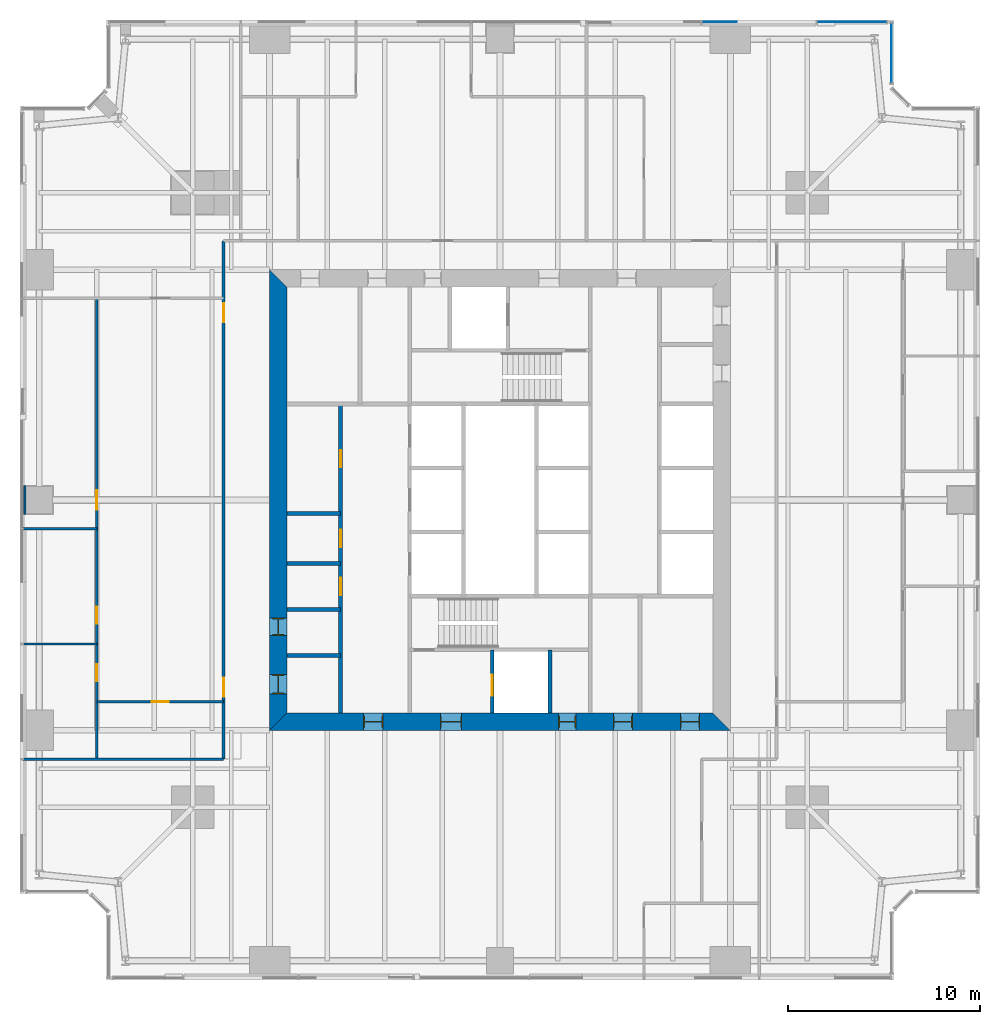
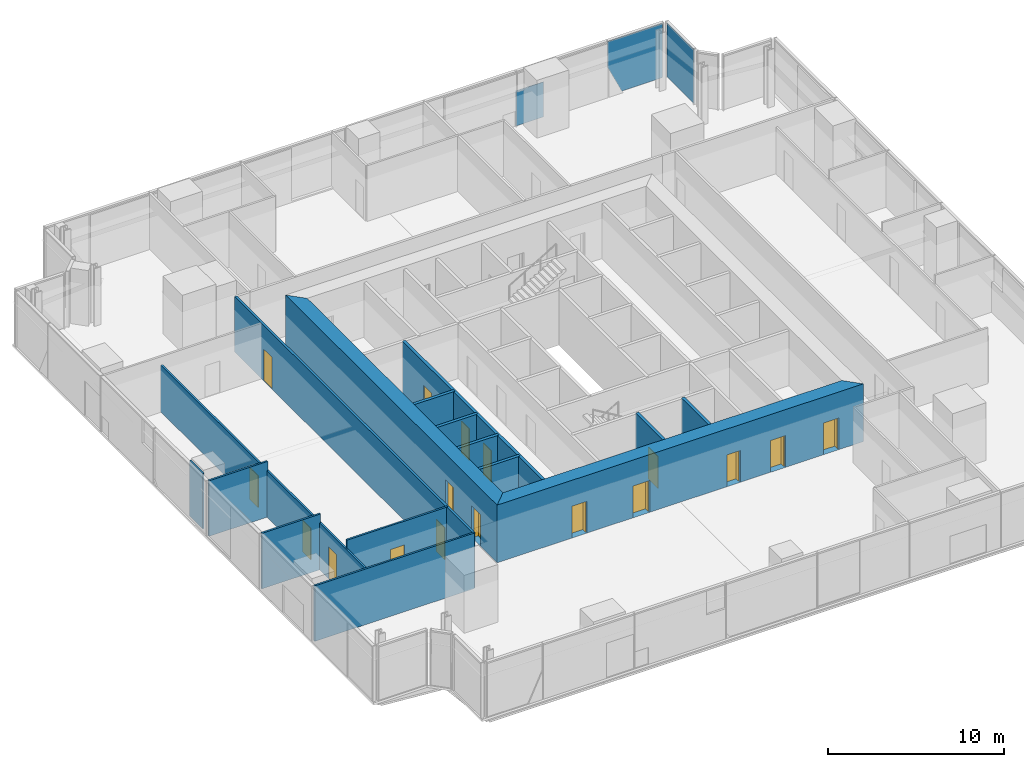
# One storey, part 9 of 14: 17 doors, 16 walls, 3 plates, 17 openings, 2 elements without a shape of their own.
"""IFC4 building model written with IfcOpenShell, lengths in metres."""

from ifc_helpers import new_model, si_unit, direction, frame, frame_2d, origin, origin_2d, place, context, subcontext, project, spatial, polyline, rectangle, outline, extrude, material, layer, layer_set, type_object, element, fill, aggregate, save


model = new_model("IFC4")

# Units and contexts
model_context = context("Model", 3, precision=1e-05, world=origin(), true_north=direction((0.0, 1.0)))
body_context = subcontext(model_context, "Body", "Model", "MODEL_VIEW")
ifc_project = project(units=[si_unit("LENGTHUNIT", "METRE"), si_unit("AREAUNIT", "SQUARE_METRE"), si_unit("VOLUMEUNIT", "CUBIC_METRE"), si_unit("PLANEANGLEUNIT", "RADIAN"), si_unit("MASSUNIT", "GRAM", prefix="KILO")], contexts=[model_context])

# Site, building, storey
site_placement = place(None, origin())
site = spatial("IfcSite", under=ifc_project, at=site_placement, CompositionType="ELEMENT")
building_placement = place(site_placement, origin())
building = spatial("IfcBuilding", under=site, at=building_placement, Name="Fenwick Lantern Interchange", CompositionType="ELEMENT")
storey_placement = place(building_placement, frame((0.0, 0.0, 122.39990234375)))
storey = spatial("IfcBuildingStorey", under=building, at=storey_placement, Name="L28", CompositionType="ELEMENT", Elevation=122.39990234375)

# Curtain wall, plate
ifc_material_1 = material(Name="Aluminium curtain wall frame", Category="aluminium")
curtain_wall_type = type_object("IfcCurtainWallType", Name="OFFICE CURTAIN WALL", PredefinedType="USERDEFINED", material=ifc_material_1)
curtain_wall_1_placement = place(storey_placement, origin())
curtain_wall_1 = element("IfcCurtainWall", 1, at=curtain_wall_1_placement, inside=storey, type_object=curtain_wall_type, Name="Office curtain wall 08", ObjectType="OFFICE CURTAIN WALL", PredefinedType="USERDEFINED")
ifc_material_2 = material(Name="Vision glass, clear low-iron double glazed", Category="glass")
ifc_layer_1 = layer(ifc_material_2, 0.031982421875)
ifc_layer_set_1 = layer_set([ifc_layer_1], Name="OFFICE CURTAIN WALL PANEL 32")
plate_type = type_object("IfcPlateType", Name="OFFICE CURTAIN WALL PANEL 32", PredefinedType="CURTAIN_PANEL", material=ifc_layer_set_1)
plate_1_placement = place(storey_placement, frame((45.39990234375, 48.279296875, 0.0), z_axis=(0.0, 0.0, 1.0), x_axis=(0.0, 1.0, 0.0)))
plate_1 = element("IfcPlate", 2, at=plate_1_placement, type_object=plate_type, Name="L28/CW/08/P00", PredefinedType="CURTAIN_PANEL", context=body_context, shape_type="SweptSolid", body=[
    extrude(rectangle(XDim=3.111328125, YDim=0.031982421875, at=origin_2d()), origin(), (0.0, 0.0, 1.0), 3.75),
])
aggregate(curtain_wall_1, [plate_1])

# Curtain wall, plates
curtain_wall_2_placement = place(storey_placement, origin())
curtain_wall_2 = element("IfcCurtainWall", 3, at=curtain_wall_2_placement, inside=storey, type_object=curtain_wall_type, Name="Office curtain wall 09", ObjectType="OFFICE CURTAIN WALL", PredefinedType="USERDEFINED")
plate_2_placement = place(storey_placement, frame((45.39990234375, 49.89990234375, 0.0), z_axis=(0.0, 0.0, 1.0), x_axis=(-1.0, 0.0, 0.0)))
plate_2 = element("IfcPlate", 4, at=plate_2_placement, type_object=plate_type, Name="L28/CW/09/P00a", PredefinedType="CURTAIN_PANEL", context=body_context, shape_type="SweptSolid", body=[
    extrude(outline(polyline([(0.264892578125, 0.0), (2.946044921875, 0.0), (3.867431640625, 1.9658203125), (3.867431640625, 3.75), (0.264892578125, 3.75), (0.264892578125, 0.0)])), frame((0.0, 0.01611328125, 0.0), z_axis=(0.0, -1.0, 0.0), x_axis=(1.0, 0.0, 0.0)), (0.0, 0.0, 1.0), 0.031982421875),
])
plate_3_placement = place(storey_placement, frame((45.39990234375, 49.89990234375, 0.0), z_axis=(0.0, 0.0, 1.0), x_axis=(-1.0, 0.0, 0.0)))
plate_3 = element("IfcPlate", 5, at=plate_3_placement, type_object=plate_type, Name="L28/CW/09/P01a", PredefinedType="CURTAIN_PANEL", context=body_context, shape_type="SweptSolid", body=[
    extrude(outline(polyline([(8.06201171875, 0.0), (9.867431640625, 0.0), (9.867431640625, 2.43212890625), (8.06201171875, 2.43212890625), (8.06201171875, 0.0)])), frame((0.0, 0.01611328125, 0.0), z_axis=(0.0, -1.0, 0.0), x_axis=(1.0, 0.0, 0.0)), (0.0, 0.0, 1.0), 0.031982421875),
])
aggregate(curtain_wall_2, [plate_2, plate_3])

# Wall
ifc_material_3 = material(Name="Fire-rated gypsum board encasement on steel studs, 2 hour", Category="steel")
ifc_layer_2 = layer(ifc_material_3, 1.5)
ifc_layer_set_2 = layer_set([ifc_layer_2], Name="COLUMN PIER 1500")
wall_type_1 = type_object("IfcWallType", Name="COLUMN PIER 1500", PredefinedType="PARTITIONING", material=ifc_layer_set_2)
wall_1_placement = place(storey_placement, frame((0.199951171875, 25.0, 0.0), z_axis=(0.0, 0.0, 1.0), x_axis=(1.0, 0.0, 0.0)))
element("IfcWall", 6, at=wall_1_placement, inside=storey, type_object=wall_type_1, Name="L28/W/PIER/CW3", PredefinedType="PARTITIONING", context=body_context, shape_type="SweptSolid", body=[
    extrude(rectangle(XDim=0.10009765625, YDim=1.5, at=frame_2d((0.050048828125, 0.0))), origin(), (0.0, 0.0, 1.0), 3.85009765625),
])

# Wall, openings, doors
ifc_material_4 = material(Name="Concrete masonry ASTM C90 Grade N", Category="masonry")
ifc_layer_3 = layer(ifc_material_4, 0.199951171875)
ifc_layer_set_3 = layer_set([ifc_layer_3], Name="Concrete masonry ASTM C90 Grade N")
wall_type_2 = type_object("IfcWallType", Name="CORE PARTITION 200", PredefinedType="PARTITIONING", material=ifc_layer_set_3)
wall_2_placement = place(storey_placement, frame((16.699951171875, 13.89990234375, 0.0), z_axis=(0.0, 0.0, 1.0), x_axis=(0.0, 1.0, 0.0)))
wall_2 = element("IfcWall", 7, at=wall_2_placement, inside=storey, type_object=wall_type_2, Name="L28/W/CORES/a", PredefinedType="PARTITIONING", context=body_context, shape_type="SweptSolid", body=[
    extrude(rectangle(XDim=16.10009765625, YDim=0.199951171875, at=frame_2d((8.050048828125, 0.0))), origin(), (0.0, 0.0, 1.0), 3.800048828125),
])
opening_1_placement = place(wall_2_placement, frame((6.14990234375, 0.0, 0.0)))
opening_1 = element("IfcOpeningElement", 8, at=opening_1_placement, cuts=wall_2, Name="Opening L28-D009", PredefinedType="OPENING", context=body_context, shape_type="SweptSolid", body=[
    extrude(rectangle(XDim=0.89990234375, YDim=2.199951171875, at=frame_2d((0.449951171875, 1.10009765625))), frame((0.0, 0.10986328125, 0.0), z_axis=(0.0, -1.0, 0.0), x_axis=(1.0, 0.0, 0.0)), (0.0, 0.0, 1.0), 0.219970703125),
])
opening_2_placement = place(wall_2_placement, frame((8.64990234375, 0.0, 0.0)))
opening_2 = element("IfcOpeningElement", 9, at=opening_2_placement, cuts=wall_2, Name="Opening L28-D010", PredefinedType="OPENING", context=body_context, shape_type="SweptSolid", body=[
    extrude(rectangle(XDim=0.89990234375, YDim=2.199951171875, at=frame_2d((0.449951171875, 1.10009765625))), frame((0.0, 0.10986328125, 0.0), z_axis=(0.0, -1.0, 0.0), x_axis=(1.0, 0.0, 0.0)), (0.0, 0.0, 1.0), 0.219970703125),
])
opening_3_placement = place(wall_2_placement, frame((12.800048828125, 0.0, 0.0)))
opening_3 = element("IfcOpeningElement", 10, at=opening_3_placement, cuts=wall_2, Name="Opening L28-D011", PredefinedType="OPENING", context=body_context, shape_type="SweptSolid", body=[
    extrude(rectangle(XDim=0.89990234375, YDim=2.199951171875, at=frame_2d((0.449951171875, 1.10009765625))), frame((0.0, 0.10986328125, 0.0), z_axis=(0.0, -1.0, 0.0), x_axis=(1.0, 0.0, 0.0)), (0.0, 0.0, 1.0), 0.219970703125),
])
ifc_material_5 = material(Name="Steel door and frame", Category="steel")
door_type_1 = type_object("IfcDoorType", Name="SERVICE DOOR 900 X 2200", OperationType="SINGLE_SWING_LEFT", PredefinedType="DOOR", material=ifc_material_5)
door_1_placement = place(opening_1_placement, origin())
door_1 = element("IfcDoor", 11, at=door_1_placement, inside=storey, type_object=door_type_1, Name="Service door", OperationType="SINGLE_SWING_LEFT", OverallHeight=2.199951171875, OverallWidth=0.89990234375, PredefinedType="DOOR", context=body_context, shape_type="SweptSolid", body=[
    extrude(rectangle(XDim=0.89990234375, YDim=2.199951171875, at=frame_2d((0.449951171875, 1.10009765625))), frame((0.0, 0.02490234375, 0.0), z_axis=(0.0, -1.0, 0.0), x_axis=(1.0, 0.0, 0.0)), (0.0, 0.0, 1.0), 0.050048828125),
])
fill(opening_1, door_1)
door_2_placement = place(opening_2_placement, origin())
door_2 = element("IfcDoor", 12, at=door_2_placement, inside=storey, type_object=door_type_1, Name="Service door", OperationType="SINGLE_SWING_LEFT", OverallHeight=2.199951171875, OverallWidth=0.89990234375, PredefinedType="DOOR", context=body_context, shape_type="SweptSolid", body=[
    extrude(rectangle(XDim=0.89990234375, YDim=2.199951171875, at=frame_2d((0.449951171875, 1.10009765625))), frame((0.0, 0.02490234375, 0.0), z_axis=(0.0, -1.0, 0.0), x_axis=(1.0, 0.0, 0.0)), (0.0, 0.0, 1.0), 0.050048828125),
])
fill(opening_2, door_2)
door_3_placement = place(opening_3_placement, origin())
door_3 = element("IfcDoor", 13, at=door_3_placement, inside=storey, type_object=door_type_1, Name="Service door", OperationType="SINGLE_SWING_LEFT", OverallHeight=2.199951171875, OverallWidth=0.89990234375, PredefinedType="DOOR", context=body_context, shape_type="SweptSolid", body=[
    extrude(rectangle(XDim=0.89990234375, YDim=2.199951171875, at=frame_2d((0.449951171875, 1.10009765625))), frame((0.0, 0.02490234375, 0.0), z_axis=(0.0, -1.0, 0.0), x_axis=(1.0, 0.0, 0.0)), (0.0, 0.0, 1.0), 0.050048828125),
])
fill(opening_3, door_3)

# Wall, opening, door
wall_3_placement = place(storey_placement, frame((24.60009765625, 13.89990234375, 0.0), z_axis=(0.0, 0.0, 1.0), x_axis=(0.0, 1.0, 0.0)))
wall_3 = element("IfcWall", 14, at=wall_3_placement, inside=storey, type_object=wall_type_2, Name="L28/W/CORES/h1", PredefinedType="PARTITIONING", context=body_context, shape_type="SweptSolid", body=[
    extrude(rectangle(XDim=3.300048828125, YDim=0.199951171875, at=frame_2d((1.64990234375, 0.0))), origin(), (0.0, 0.0, 1.0), 3.800048828125),
])
opening_4_placement = place(wall_3_placement, frame((0.89990234375, 0.0, 0.0)))
opening_4 = element("IfcOpeningElement", 15, at=opening_4_placement, cuts=wall_3, Name="Opening LD-FL1", PredefinedType="OPENING", context=body_context, shape_type="SweptSolid", body=[
    extrude(rectangle(XDim=1.10009765625, YDim=2.199951171875, at=frame_2d((0.550048828125, 1.10009765625))), frame((0.0, 0.10986328125, 0.0), z_axis=(0.0, -1.0, 0.0), x_axis=(1.0, 0.0, 0.0)), (0.0, 0.0, 1.0), 0.219970703125),
])
door_type_2 = type_object("IfcDoorType", Name="LIFT LANDING DOOR 1100 X 2200", OperationType="DOUBLE_DOOR_SLIDING", PredefinedType="DOOR", material=ifc_material_5)
door_4_placement = place(opening_4_placement, origin())
door_4 = element("IfcDoor", 16, at=door_4_placement, inside=storey, type_object=door_type_2, Name="Lift landing door FL1", OperationType="DOUBLE_DOOR_SLIDING", OverallHeight=2.199951171875, OverallWidth=1.10009765625, PredefinedType="DOOR", context=body_context, shape_type="SweptSolid", body=[
    extrude(rectangle(XDim=1.10009765625, YDim=2.199951171875, at=frame_2d((0.550048828125, 1.10009765625))), frame((0.0, 0.02490234375, 0.0), z_axis=(0.0, -1.0, 0.0), x_axis=(1.0, 0.0, 0.0)), (0.0, 0.0, 1.0), 0.050048828125),
])
fill(opening_4, door_4)

# Walls
wall_4_placement = place(storey_placement, frame((27.60009765625, 13.89990234375, 0.0), z_axis=(0.0, 0.0, 1.0), x_axis=(0.0, 1.0, 0.0)))
element("IfcWall", 17, at=wall_4_placement, inside=storey, type_object=wall_type_2, Name="L28/W/CORES/h2", PredefinedType="PARTITIONING", context=body_context, shape_type="SweptSolid", body=[
    extrude(rectangle(XDim=3.300048828125, YDim=0.199951171875, at=frame_2d((1.64990234375, 0.0))), origin(), (0.0, 0.0, 1.0), 3.800048828125),
])
for number, where, z_axis, x_axis, name in (
    (18, (13.89990234375, 16.89990234375, 0.0), (0.0, 0.0, 1.0), (1.0, 0.0, 0.0), "L28/W/CORES/p1"),
    (19, (13.89990234375, 19.300048828125, 0.0), (0.0, 0.0, 1.0), (1.0, 0.0, 0.0), "L28/W/CORES/p2"),
    (20, (13.89990234375, 21.699951171875, 0.0), (0.0, 0.0, 1.0), (1.0, 0.0, 0.0), "L28/W/CORES/p3"),
    (21, (13.89990234375, 24.300048828125, 0.0), (0.0, 0.0, 1.0), (1.0, 0.0, 0.0), "L28/W/CORES/p4"),
):
    element("IfcWall", number, at=place(storey_placement, frame(where, z_axis=z_axis, x_axis=x_axis)), inside=storey, type_object=wall_type_2, Name=name, PredefinedType="PARTITIONING", context=body_context, shape_type="SweptSolid", body=[
        extrude(rectangle(XDim=2.800048828125, YDim=0.199951171875, at=frame_2d((1.39990234375, 0.0))), origin(), (0.0, 0.0, 1.0), 3.800048828125),
    ])

# Wall, openings, doors
ifc_material_6 = material(Name="Concrete f'c 70 MPa", Category="concrete")
ifc_layer_4 = layer(ifc_material_6, 0.89990234375)
ifc_layer_set_4 = layer_set([ifc_layer_4], Name="CORE WALL 900")
wall_type_3 = type_object("IfcWallType", Name="CORE WALL 900", PredefinedType="SHEAR", material=ifc_layer_set_4)
wall_5_placement = place(storey_placement, frame((13.0, 13.449951171875, 0.0), z_axis=(0.0, 0.0, 1.0), x_axis=(1.0, 0.0, 0.0)))
wall_5 = element("IfcWall", 22, at=wall_5_placement, inside=storey, type_object=wall_type_3, Name="L28/CORE/S", PredefinedType="SHEAR", context=body_context, shape_type="SweptSolid", body=[
    extrude(outline(polyline([(0.0, -0.449951171875), (24.0, -0.449951171875), (23.10009765625, 0.449951171875), (0.89990234375, 0.449951171875), (0.0, -0.449951171875)])), origin(), (0.0, 0.0, 1.0), 4.0),
])
opening_5_placement = place(wall_5_placement, frame((4.89990234375, 0.0, 0.0)))
opening_5 = element("IfcOpeningElement", 23, at=opening_5_placement, cuts=wall_5, Name="Opening L28-D001", PredefinedType="OPENING", context=body_context, shape_type="SweptSolid", body=[
    extrude(rectangle(XDim=1.0, YDim=2.199951171875, at=frame_2d((0.5, 1.10009765625))), frame((0.0, 0.4599609375, 0.0), z_axis=(0.0, -1.0, 0.0), x_axis=(1.0, 0.0, 0.0)), (0.0, 0.0, 1.0), 0.919921875),
])
opening_6_placement = place(wall_5_placement, frame((8.89990234375, 0.0, 0.0)))
opening_6 = element("IfcOpeningElement", 24, at=opening_6_placement, cuts=wall_5, Name="Opening L28-D002", PredefinedType="OPENING", context=body_context, shape_type="SweptSolid", body=[
    extrude(rectangle(XDim=1.10009765625, YDim=2.199951171875, at=frame_2d((0.550048828125, 1.10009765625))), frame((0.0, 0.4599609375, 0.0), z_axis=(0.0, -1.0, 0.0), x_axis=(1.0, 0.0, 0.0)), (0.0, 0.0, 1.0), 0.919921875),
])
opening_7_placement = place(wall_5_placement, frame((15.050048828125, 0.0, 0.0)))
opening_7 = element("IfcOpeningElement", 25, at=opening_7_placement, cuts=wall_5, Name="Opening L28-D004", PredefinedType="OPENING", context=body_context, shape_type="SweptSolid", body=[
    extrude(rectangle(XDim=0.89990234375, YDim=2.199951171875, at=frame_2d((0.449951171875, 1.10009765625))), frame((0.0, 0.4599609375, 0.0), z_axis=(0.0, -1.0, 0.0), x_axis=(1.0, 0.0, 0.0)), (0.0, 0.0, 1.0), 0.919921875),
])
opening_8_placement = place(wall_5_placement, frame((17.89990234375, 0.0, 0.0)))
opening_8 = element("IfcOpeningElement", 26, at=opening_8_placement, cuts=wall_5, Name="Opening L28-D005", PredefinedType="OPENING", context=body_context, shape_type="SweptSolid", body=[
    extrude(rectangle(XDim=1.0, YDim=2.199951171875, at=frame_2d((0.5, 1.10009765625))), frame((0.0, 0.4599609375, 0.0), z_axis=(0.0, -1.0, 0.0), x_axis=(1.0, 0.0, 0.0)), (0.0, 0.0, 1.0), 0.919921875),
])
opening_9_placement = place(wall_5_placement, frame((21.39990234375, 0.0, 0.0)))
opening_9 = element("IfcOpeningElement", 27, at=opening_9_placement, cuts=wall_5, Name="Opening L28-D006", PredefinedType="OPENING", context=body_context, shape_type="SweptSolid", body=[
    extrude(rectangle(XDim=1.0, YDim=2.199951171875, at=frame_2d((0.5, 1.10009765625))), frame((0.0, 0.4599609375, 0.0), z_axis=(0.0, -1.0, 0.0), x_axis=(1.0, 0.0, 0.0)), (0.0, 0.0, 1.0), 0.919921875),
])
door_type_3 = type_object("IfcDoorType", Name="CORE LOBBY DOOR 1000 X 2200", OperationType="SINGLE_SWING_LEFT", PredefinedType="DOOR", material=ifc_material_5)
door_5_placement = place(opening_5_placement, origin())
door_5 = element("IfcDoor", 28, at=door_5_placement, inside=storey, type_object=door_type_3, Name="Core lobby door", OperationType="SINGLE_SWING_LEFT", OverallHeight=2.199951171875, OverallWidth=1.0, PredefinedType="DOOR", context=body_context, shape_type="SweptSolid", body=[
    extrude(rectangle(XDim=1.0, YDim=2.199951171875, at=frame_2d((0.5, 1.10009765625))), frame((0.0, 0.02490234375, 0.0), z_axis=(0.0, -1.0, 0.0), x_axis=(1.0, 0.0, 0.0)), (0.0, 0.0, 1.0), 0.050048828125),
    extrude(outline(polyline([(0.0, 0.0), (0.0400390625, 0.0), (0.0400390625, 2.159912109375), (0.9599609375, 2.159912109375), (0.9599609375, 0.0), (1.0, 0.0), (1.0, 2.199951171875), (0.0, 2.199951171875), (0.0, 0.0)])), frame((0.0, 0.300048828125, 0.0), z_axis=(0.0, -1.0, 0.0), x_axis=(1.0, 0.0, 0.0)), (0.0, 0.0, 1.0), 0.60009765625),
])
fill(opening_5, door_5)
door_type_4 = type_object("IfcDoorType", Name="FIRE LOBBY DOOR 1100 X 2200", OperationType="SINGLE_SWING_LEFT", PredefinedType="DOOR", material=ifc_material_5)
door_6_placement = place(opening_6_placement, origin())
door_6 = element("IfcDoor", 29, at=door_6_placement, inside=storey, type_object=door_type_4, Name="Fire lobby door", OperationType="SINGLE_SWING_LEFT", OverallHeight=2.199951171875, OverallWidth=1.10009765625, PredefinedType="DOOR", context=body_context, shape_type="SweptSolid", body=[
    extrude(rectangle(XDim=1.10009765625, YDim=2.199951171875, at=frame_2d((0.550048828125, 1.10009765625))), frame((0.0, 0.02490234375, 0.0), z_axis=(0.0, -1.0, 0.0), x_axis=(1.0, 0.0, 0.0)), (0.0, 0.0, 1.0), 0.050048828125),
    extrude(outline(polyline([(0.0, 0.0), (0.0400390625, 0.0), (0.0400390625, 2.159912109375), (1.06005859375, 2.159912109375), (1.06005859375, 0.0), (1.10009765625, 0.0), (1.10009765625, 2.199951171875), (0.0, 2.199951171875), (0.0, 0.0)])), frame((0.0, 0.300048828125, 0.0), z_axis=(0.0, -1.0, 0.0), x_axis=(1.0, 0.0, 0.0)), (0.0, 0.0, 1.0), 0.60009765625),
])
fill(opening_6, door_6)
door_7_placement = place(opening_7_placement, origin())
door_7 = element("IfcDoor", 30, at=door_7_placement, inside=storey, type_object=door_type_1, Name="Service door", OperationType="SINGLE_SWING_LEFT", OverallHeight=2.199951171875, OverallWidth=0.89990234375, PredefinedType="DOOR", context=body_context, shape_type="SweptSolid", body=[
    extrude(rectangle(XDim=0.89990234375, YDim=2.199951171875, at=frame_2d((0.449951171875, 1.10009765625))), frame((0.0, 0.02490234375, 0.0), z_axis=(0.0, -1.0, 0.0), x_axis=(1.0, 0.0, 0.0)), (0.0, 0.0, 1.0), 0.050048828125),
    extrude(outline(polyline([(0.0, 0.0), (0.0400390625, 0.0), (0.0400390625, 2.159912109375), (0.85986328125, 2.159912109375), (0.85986328125, 0.0), (0.89990234375, 0.0), (0.89990234375, 2.199951171875), (0.0, 2.199951171875), (0.0, 0.0)])), frame((0.0, 0.300048828125, 0.0), z_axis=(0.0, -1.0, 0.0), x_axis=(1.0, 0.0, 0.0)), (0.0, 0.0, 1.0), 0.60009765625),
])
fill(opening_7, door_7)
ifc_material_7 = material(Name="Hardwood door and steel frame", Category="steel")
door_type_5 = type_object("IfcDoorType", Name="WC DOOR 1000 X 2200", OperationType="SINGLE_SWING_LEFT", PredefinedType="DOOR", material=ifc_material_7)
door_8_placement = place(opening_8_placement, origin())
door_8 = element("IfcDoor", 31, at=door_8_placement, inside=storey, type_object=door_type_5, Name="Wc door", OperationType="SINGLE_SWING_RIGHT", OverallHeight=2.199951171875, OverallWidth=1.0, PredefinedType="DOOR", context=body_context, shape_type="SweptSolid", body=[
    extrude(rectangle(XDim=1.0, YDim=2.199951171875, at=frame_2d((0.5, 1.10009765625))), frame((0.0, 0.02490234375, 0.0), z_axis=(0.0, -1.0, 0.0), x_axis=(1.0, 0.0, 0.0)), (0.0, 0.0, 1.0), 0.050048828125),
    extrude(outline(polyline([(0.0, 0.0), (0.0400390625, 0.0), (0.0400390625, 2.159912109375), (0.9599609375, 2.159912109375), (0.9599609375, 0.0), (1.0, 0.0), (1.0, 2.199951171875), (0.0, 2.199951171875), (0.0, 0.0)])), frame((0.0, 0.300048828125, 0.0), z_axis=(0.0, -1.0, 0.0), x_axis=(1.0, 0.0, 0.0)), (0.0, 0.0, 1.0), 0.60009765625),
])
fill(opening_8, door_8)
door_9_placement = place(opening_9_placement, origin())
door_9 = element("IfcDoor", 32, at=door_9_placement, inside=storey, type_object=door_type_5, Name="Wc door", OperationType="SINGLE_SWING_RIGHT", OverallHeight=2.199951171875, OverallWidth=1.0, PredefinedType="DOOR", context=body_context, shape_type="SweptSolid", body=[
    extrude(rectangle(XDim=1.0, YDim=2.199951171875, at=frame_2d((0.5, 1.10009765625))), frame((0.0, 0.02490234375, 0.0), z_axis=(0.0, -1.0, 0.0), x_axis=(1.0, 0.0, 0.0)), (0.0, 0.0, 1.0), 0.050048828125),
    extrude(outline(polyline([(0.0, 0.0), (0.0400390625, 0.0), (0.0400390625, 2.159912109375), (0.9599609375, 2.159912109375), (0.9599609375, 0.0), (1.0, 0.0), (1.0, 2.199951171875), (0.0, 2.199951171875), (0.0, 0.0)])), frame((0.0, 0.300048828125, 0.0), z_axis=(0.0, -1.0, 0.0), x_axis=(1.0, 0.0, 0.0)), (0.0, 0.0, 1.0), 0.60009765625),
])
fill(opening_9, door_9)

wall_6_placement = place(storey_placement, frame((13.449951171875, 36.10009765625, 0.0), z_axis=(0.0, 0.0, 1.0), x_axis=(0.0, -1.0, 0.0)))
wall_6 = element("IfcWall", 33, at=wall_6_placement, inside=storey, type_object=wall_type_3, Name="L28/CORE/W", PredefinedType="SHEAR", context=body_context, shape_type="SweptSolid", body=[
    extrude(outline(polyline([(-0.89990234375, -0.449951171875), (23.10009765625, -0.449951171875), (22.199951171875, 0.449951171875), (0.0, 0.449951171875), (-0.89990234375, -0.449951171875)])), origin(), (0.0, 0.0, 1.0), 4.0),
])
opening_10_placement = place(wall_6_placement, frame((20.199951171875, 0.0, 0.0)))
opening_10 = element("IfcOpeningElement", 34, at=opening_10_placement, cuts=wall_6, Name="Opening L28-D007", PredefinedType="OPENING", context=body_context, shape_type="SweptSolid", body=[
    extrude(rectangle(XDim=1.0, YDim=2.199951171875, at=frame_2d((0.5, 1.10009765625))), frame((0.0, 0.4599609375, 0.0), z_axis=(0.0, -1.0, 0.0), x_axis=(1.0, 0.0, 0.0)), (0.0, 0.0, 1.0), 0.919921875),
])
opening_11_placement = place(wall_6_placement, frame((17.25, 0.0, 0.0)))
opening_11 = element("IfcOpeningElement", 35, at=opening_11_placement, cuts=wall_6, Name="Opening L28-D008", PredefinedType="OPENING", context=body_context, shape_type="SweptSolid", body=[
    extrude(rectangle(XDim=0.89990234375, YDim=2.199951171875, at=frame_2d((0.449951171875, 1.10009765625))), frame((0.0, 0.4599609375, 0.0), z_axis=(0.0, -1.0, 0.0), x_axis=(1.0, 0.0, 0.0)), (0.0, 0.0, 1.0), 0.919921875),
])
door_10_placement = place(opening_11_placement, origin())
door_10 = element("IfcDoor", 36, at=door_10_placement, inside=storey, type_object=door_type_1, Name="Service door", OperationType="SINGLE_SWING_LEFT", OverallHeight=2.199951171875, OverallWidth=0.89990234375, PredefinedType="DOOR", context=body_context, shape_type="SweptSolid", body=[
    extrude(rectangle(XDim=0.89990234375, YDim=2.199951171875, at=frame_2d((0.449951171875, 1.10009765625))), frame((0.0, 0.02490234375, 0.0), z_axis=(0.0, -1.0, 0.0), x_axis=(1.0, 0.0, 0.0)), (0.0, 0.0, 1.0), 0.050048828125),
    extrude(outline(polyline([(0.0, 0.0), (0.0400390625, 0.0), (0.0400390625, 2.159912109375), (0.85986328125, 2.159912109375), (0.85986328125, 0.0), (0.89990234375, 0.0), (0.89990234375, 2.199951171875), (0.0, 2.199951171875), (0.0, 0.0)])), frame((0.0, 0.300048828125, 0.0), z_axis=(0.0, -1.0, 0.0), x_axis=(1.0, 0.0, 0.0)), (0.0, 0.0, 1.0), 0.60009765625),
])
fill(opening_11, door_10)
door_11_placement = place(opening_10_placement, origin())
door_11 = element("IfcDoor", 37, at=door_11_placement, inside=storey, type_object=door_type_5, Name="Wc door", OperationType="SINGLE_SWING_LEFT", OverallHeight=2.199951171875, OverallWidth=1.0, PredefinedType="DOOR", context=body_context, shape_type="SweptSolid", body=[
    extrude(rectangle(XDim=1.0, YDim=2.199951171875, at=frame_2d((0.5, 1.10009765625))), frame((0.0, 0.02490234375, 0.0), z_axis=(0.0, -1.0, 0.0), x_axis=(1.0, 0.0, 0.0)), (0.0, 0.0, 1.0), 0.050048828125),
    extrude(outline(polyline([(0.0, 0.0), (0.0400390625, 0.0), (0.0400390625, 2.159912109375), (0.9599609375, 2.159912109375), (0.9599609375, 0.0), (1.0, 0.0), (1.0, 2.199951171875), (0.0, 2.199951171875), (0.0, 0.0)])), frame((0.0, 0.300048828125, 0.0), z_axis=(0.0, -1.0, 0.0), x_axis=(1.0, 0.0, 0.0)), (0.0, 0.0, 1.0), 0.60009765625),
])
fill(opening_10, door_11)

ifc_material_8 = material(Name="Gypsum board on steel studs, 1 hour", Category="steel")
ifc_layer_5 = layer(ifc_material_8, 0.14990234375)
ifc_layer_set_5 = layer_set([ifc_layer_5], Name="CORRIDOR WALL 150")
wall_type_4 = type_object("IfcWallType", Name="CORRIDOR WALL 150", PredefinedType="PARTITIONING", material=ifc_layer_set_5)
wall_7_placement = place(storey_placement, frame((10.60009765625, 38.5, 0.0), z_axis=(0.0, 0.0, 1.0), x_axis=(0.0, -1.0, 0.0)))
wall_7 = element("IfcWall", 38, at=wall_7_placement, inside=storey, type_object=wall_type_4, Name="L28/W/OFF/W/CW2", PredefinedType="PARTITIONING", context=body_context, shape_type="SweptSolid", body=[
    extrude(rectangle(XDim=27.0, YDim=0.14990234375, at=frame_2d((13.5, 0.0))), origin(), (0.0, 0.0, 1.0), 3.85009765625),
])
opening_12_placement = place(wall_7_placement, frame((3.25, 0.0, 0.0)))
opening_12 = element("IfcOpeningElement", 39, at=opening_12_placement, cuts=wall_7, Name="Opening L28-D035", PredefinedType="OPENING", context=body_context, shape_type="SweptSolid", body=[
    extrude(rectangle(XDim=1.0, YDim=2.199951171875, at=frame_2d((0.5, 1.10009765625))), frame((0.0, 0.0849609375, 0.0), z_axis=(0.0, -1.0, 0.0), x_axis=(1.0, 0.0, 0.0)), (0.0, 0.0, 1.0), 0.169921875),
])
opening_13_placement = place(wall_7_placement, frame((22.75, 0.0, 0.0)))
opening_13 = element("IfcOpeningElement", 40, at=opening_13_placement, cuts=wall_7, Name="Opening L28-D036", PredefinedType="OPENING", context=body_context, shape_type="SweptSolid", body=[
    extrude(rectangle(XDim=1.0, YDim=2.199951171875, at=frame_2d((0.5, 1.10009765625))), frame((0.0, 0.0849609375, 0.0), z_axis=(0.0, -1.0, 0.0), x_axis=(1.0, 0.0, 0.0)), (0.0, 0.0, 1.0), 0.169921875),
])
door_type_6 = type_object("IfcDoorType", Name="SUITE ENTRANCE DOOR 1000 X 2200", OperationType="SINGLE_SWING_LEFT", PredefinedType="DOOR", material=ifc_material_5)
door_12_placement = place(opening_12_placement, origin())
door_12 = element("IfcDoor", 41, at=door_12_placement, inside=storey, type_object=door_type_6, Name="Suite entrance door", OperationType="SINGLE_SWING_LEFT", OverallHeight=2.199951171875, OverallWidth=1.0, PredefinedType="DOOR", context=body_context, shape_type="SweptSolid", body=[
    extrude(rectangle(XDim=1.0, YDim=2.199951171875, at=frame_2d((0.5, 1.10009765625))), frame((0.0, 0.02490234375, 0.0), z_axis=(0.0, -1.0, 0.0), x_axis=(1.0, 0.0, 0.0)), (0.0, 0.0, 1.0), 0.050048828125),
])
fill(opening_12, door_12)
door_13_placement = place(opening_13_placement, origin())
door_13 = element("IfcDoor", 42, at=door_13_placement, inside=storey, type_object=door_type_6, Name="Suite entrance door", OperationType="SINGLE_SWING_RIGHT", OverallHeight=2.199951171875, OverallWidth=1.0, PredefinedType="DOOR", context=body_context, shape_type="SweptSolid", body=[
    extrude(rectangle(XDim=1.0, YDim=2.199951171875, at=frame_2d((0.5, 1.10009765625))), frame((0.0, 0.02490234375, 0.0), z_axis=(0.0, -1.0, 0.0), x_axis=(1.0, 0.0, 0.0)), (0.0, 0.0, 1.0), 0.050048828125),
])
fill(opening_13, door_13)

# Walls
ifc_material_9 = material(Name="Gypsum board on steel studs, acoustic", Category="steel")
ifc_layer_6 = layer(ifc_material_9, 0.125)
ifc_layer_set_6 = layer_set([ifc_layer_6], Name="OFFICE PARTITION 125")
wall_type_5 = type_object("IfcWallType", Name="OFFICE PARTITION 125", PredefinedType="PARTITIONING", material=ifc_layer_set_6)
wall_8_placement = place(storey_placement, frame((0.14990234375, 11.5, 0.0), z_axis=(0.0, 0.0, 1.0), x_axis=(1.0, 0.0, 0.0)))
element("IfcWall", 43, at=wall_8_placement, inside=storey, type_object=wall_type_5, Name="L28/W/OFF/S/BACK", PredefinedType="PARTITIONING", context=body_context, shape_type="SweptSolid", body=[
    extrude(rectangle(XDim=10.4501953125, YDim=0.125, at=frame_2d((5.22509765625, 0.0))), origin(), (0.0, 0.0, 1.0), 3.85009765625),
])
for number, where, z_axis, x_axis, name in (
    (44, (0.14990234375, 23.5, 0.0), (0.0, 0.0, 1.0), (1.0, 0.0, 0.0), "L28/W/OFF/W/X265-1"),
    (45, (0.14990234375, 17.5, 0.0), (0.0, 0.0, 1.0), (1.0, 0.0, 0.0), "L28/W/OFF/W/X325-1"),
):
    element("IfcWall", number, at=place(storey_placement, frame(where, z_axis=z_axis, x_axis=x_axis)), inside=storey, type_object=wall_type_5, Name=name, PredefinedType="PARTITIONING", context=body_context, shape_type="SweptSolid", body=[
        extrude(rectangle(XDim=3.85009765625, YDim=0.125, at=frame_2d((1.925048828125, 0.0))), origin(), (0.0, 0.0, 1.0), 3.85009765625),
    ])

# Wall, opening, door
wall_9_placement = place(storey_placement, frame((4.0, 14.5, 0.0), z_axis=(0.0, 0.0, 1.0), x_axis=(1.0, 0.0, 0.0)))
wall_9 = element("IfcWall", 46, at=wall_9_placement, inside=storey, type_object=wall_type_5, Name="L28/W/OFF/W/X355-1", PredefinedType="PARTITIONING", context=body_context, shape_type="SweptSolid", body=[
    extrude(rectangle(XDim=6.60009765625, YDim=0.125, at=frame_2d((3.300048828125, 0.0))), origin(), (0.0, 0.0, 1.0), 3.85009765625),
])
opening_14_placement = place(wall_9_placement, frame((2.85009765625, 0.0, 0.0)))
opening_14 = element("IfcOpeningElement", 47, at=opening_14_placement, cuts=wall_9, Name="Opening L28-D041", PredefinedType="OPENING", context=body_context, shape_type="SweptSolid", body=[
    extrude(rectangle(XDim=0.89990234375, YDim=2.199951171875, at=frame_2d((0.449951171875, 1.10009765625))), frame((0.0, 0.072509765625, 0.0), z_axis=(0.0, -1.0, 0.0), x_axis=(1.0, 0.0, 0.0)), (0.0, 0.0, 1.0), 0.14501953125),
])
door_type_7 = type_object("IfcDoorType", Name="OFFICE DOOR 900 X 2200", OperationType="SINGLE_SWING_LEFT", PredefinedType="DOOR", material=ifc_material_7)
door_14_placement = place(opening_14_placement, frame((0.89990234375, 0.0, 0.0), z_axis=(0.0, 0.0, 1.0), x_axis=(-1.0, 0.0, 0.0)))
door_14 = element("IfcDoor", 48, at=door_14_placement, inside=storey, type_object=door_type_7, Name="Office door", OperationType="SINGLE_SWING_RIGHT", OverallHeight=2.199951171875, OverallWidth=0.89990234375, PredefinedType="DOOR", context=body_context, shape_type="SweptSolid", body=[
    extrude(rectangle(XDim=0.89990234375, YDim=2.199951171875, at=frame_2d((0.449951171875, 1.10009765625))), frame((0.0, 0.02490234375, 0.0), z_axis=(0.0, -1.0, 0.0), x_axis=(1.0, 0.0, 0.0)), (0.0, 0.0, 1.0), 0.050048828125),
])
fill(opening_14, door_14)

# Wall, openings, doors
wall_10_placement = place(storey_placement, frame((4.0, 35.5, 0.0), z_axis=(0.0, 0.0, 1.0), x_axis=(0.0, -1.0, 0.0)))
wall_10 = element("IfcWall", 49, at=wall_10_placement, inside=storey, type_object=wall_type_5, Name="L28/W/OFF/W/Y40-1", PredefinedType="PARTITIONING", context=body_context, shape_type="SweptSolid", body=[
    extrude(rectangle(XDim=24.0, YDim=0.125, at=frame_2d((12.0, 0.0))), origin(), (0.0, 0.0, 1.0), 3.238037109375),
])
opening_15_placement = place(wall_10_placement, frame((10.0, 0.0, 0.0)))
opening_15 = element("IfcOpeningElement", 50, at=opening_15_placement, cuts=wall_10, Name="Opening L28-D038", PredefinedType="OPENING", context=body_context, shape_type="SweptSolid", body=[
    extrude(rectangle(XDim=1.0, YDim=2.199951171875, at=frame_2d((0.5, 1.10009765625))), frame((0.0, 0.072509765625, 0.0), z_axis=(0.0, -1.0, 0.0), x_axis=(1.0, 0.0, 0.0)), (0.0, 0.0, 1.0), 0.14501953125),
])
opening_16_placement = place(wall_10_placement, frame((16.050048828125, 0.0, 0.0)))
opening_16 = element("IfcOpeningElement", 51, at=opening_16_placement, cuts=wall_10, Name="Opening L28-D039", PredefinedType="OPENING", context=body_context, shape_type="SweptSolid", body=[
    extrude(rectangle(XDim=0.89990234375, YDim=2.199951171875, at=frame_2d((0.449951171875, 1.10009765625))), frame((0.0, 0.072509765625, 0.0), z_axis=(0.0, -1.0, 0.0), x_axis=(1.0, 0.0, 0.0)), (0.0, 0.0, 1.0), 0.14501953125),
])
opening_17_placement = place(wall_10_placement, frame((19.050048828125, 0.0, 0.0)))
opening_17 = element("IfcOpeningElement", 52, at=opening_17_placement, cuts=wall_10, Name="Opening L28-D040", PredefinedType="OPENING", context=body_context, shape_type="SweptSolid", body=[
    extrude(rectangle(XDim=0.89990234375, YDim=2.199951171875, at=frame_2d((0.449951171875, 1.10009765625))), frame((0.0, 0.072509765625, 0.0), z_axis=(0.0, -1.0, 0.0), x_axis=(1.0, 0.0, 0.0)), (0.0, 0.0, 1.0), 0.14501953125),
])
door_type_8 = type_object("IfcDoorType", Name="MEETING ROOM DOOR 1000 X 2200", OperationType="SINGLE_SWING_LEFT", PredefinedType="DOOR", material=ifc_material_7)
door_15_placement = place(opening_15_placement, frame((1.0, 0.0, 0.0), z_axis=(0.0, 0.0, 1.0), x_axis=(-1.0, 0.0, 0.0)))
door_15 = element("IfcDoor", 53, at=door_15_placement, inside=storey, type_object=door_type_8, Name="Meeting room door", OperationType="SINGLE_SWING_LEFT", OverallHeight=2.199951171875, OverallWidth=1.0, PredefinedType="DOOR", context=body_context, shape_type="SweptSolid", body=[
    extrude(rectangle(XDim=1.0, YDim=2.199951171875, at=frame_2d((0.5, 1.10009765625))), frame((0.0, 0.02490234375, 0.0), z_axis=(0.0, -1.0, 0.0), x_axis=(1.0, 0.0, 0.0)), (0.0, 0.0, 1.0), 0.050048828125),
])
fill(opening_15, door_15)
door_16_placement = place(opening_16_placement, frame((0.89990234375, 0.0, 0.0), z_axis=(0.0, 0.0, 1.0), x_axis=(-1.0, 0.0, 0.0)))
door_16 = element("IfcDoor", 54, at=door_16_placement, inside=storey, type_object=door_type_7, Name="Office door", OperationType="SINGLE_SWING_LEFT", OverallHeight=2.199951171875, OverallWidth=0.89990234375, PredefinedType="DOOR", context=body_context, shape_type="SweptSolid", body=[
    extrude(rectangle(XDim=0.89990234375, YDim=2.199951171875, at=frame_2d((0.449951171875, 1.10009765625))), frame((0.0, 0.02490234375, 0.0), z_axis=(0.0, -1.0, 0.0), x_axis=(1.0, 0.0, 0.0)), (0.0, 0.0, 1.0), 0.050048828125),
])
fill(opening_16, door_16)
door_17_placement = place(opening_17_placement, frame((0.89990234375, 0.0, 0.0), z_axis=(0.0, 0.0, 1.0), x_axis=(-1.0, 0.0, 0.0)))
door_17 = element("IfcDoor", 55, at=door_17_placement, inside=storey, type_object=door_type_7, Name="Office door", OperationType="SINGLE_SWING_RIGHT", OverallHeight=2.199951171875, OverallWidth=0.89990234375, PredefinedType="DOOR", context=body_context, shape_type="SweptSolid", body=[
    extrude(rectangle(XDim=0.89990234375, YDim=2.199951171875, at=frame_2d((0.449951171875, 1.10009765625))), frame((0.0, 0.02490234375, 0.0), z_axis=(0.0, -1.0, 0.0), x_axis=(1.0, 0.0, 0.0)), (0.0, 0.0, 1.0), 0.050048828125),
])
fill(opening_17, door_17)

save(model, "model.ifc")
